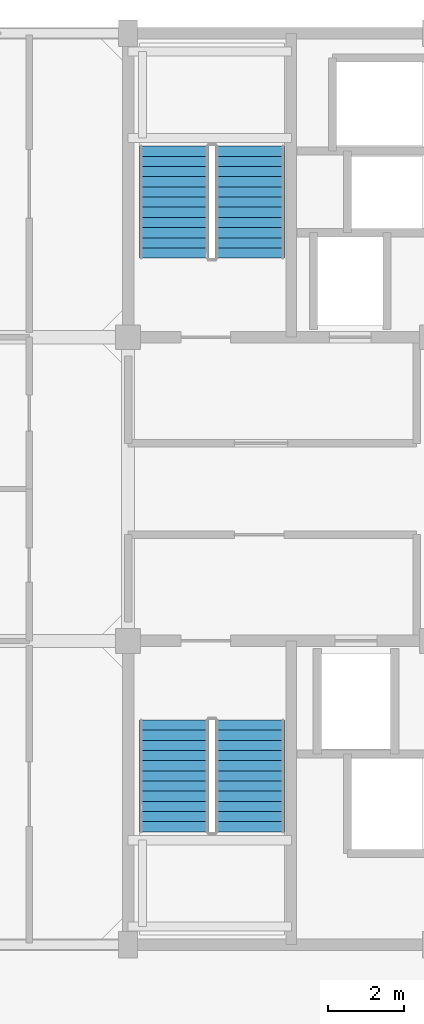
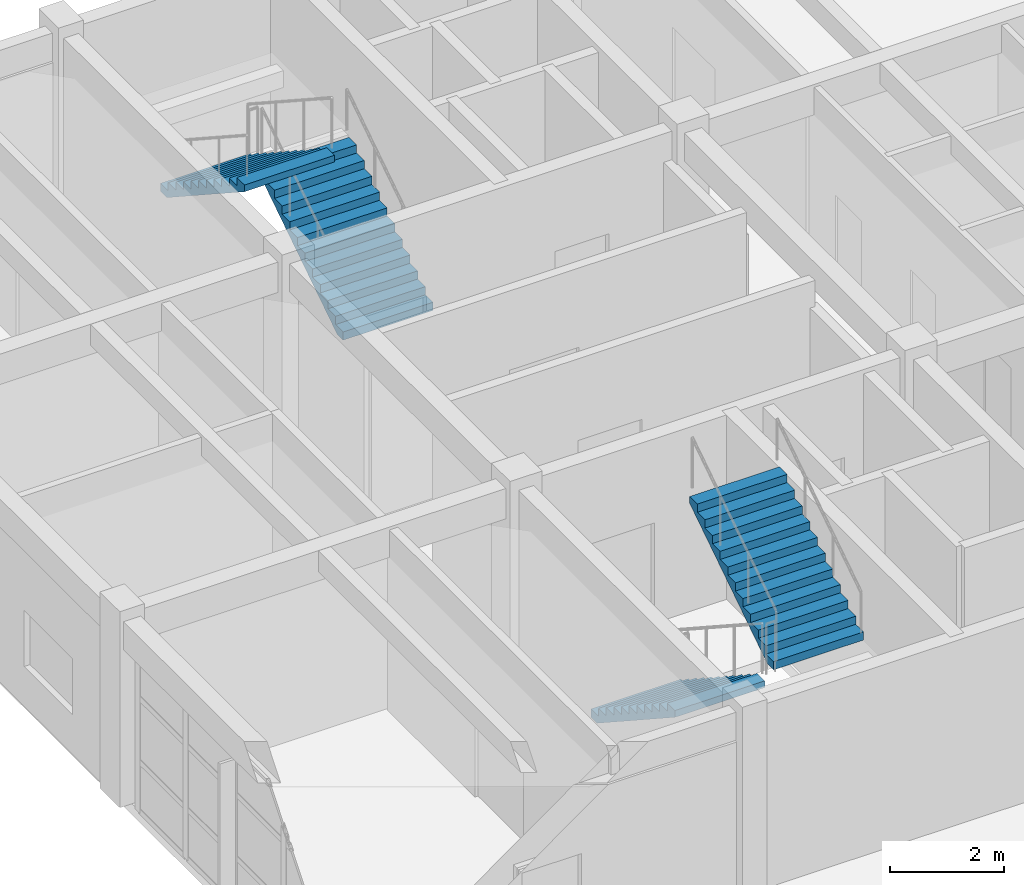
# One storey, part 18 of 20: 4 stair flights, 2 elements without a shape of their own.
"""IFC4 building model written with IfcOpenShell, lengths in metres."""

from ifc_helpers import new_model, si_unit, direction, frame, origin, place, context, subcontext, project, spatial, polyline, outline, extrude, material, type_object, element, aggregate, save


model = new_model("IFC4")

# Units and contexts
model_context = context("Model", 3, precision=1e-05, world=origin(), true_north=direction((0.0, 1.0)))
body_context = subcontext(model_context, "Body", "Model", "MODEL_VIEW")
ifc_project = project(units=[si_unit("LENGTHUNIT", "METRE"), si_unit("AREAUNIT", "SQUARE_METRE"), si_unit("VOLUMEUNIT", "CUBIC_METRE"), si_unit("PLANEANGLEUNIT", "RADIAN"), si_unit("MASSUNIT", "GRAM", prefix="KILO")], contexts=[model_context])

# Site, building, storey
site_placement = place(None, origin())
site = spatial("IfcSite", under=ifc_project, at=site_placement, CompositionType="ELEMENT")
building_placement = place(site_placement, origin())
building = spatial("IfcBuilding", under=site, at=building_placement, Name="Canggui Botanical Conservatory", CompositionType="ELEMENT")
storey_placement = place(building_placement, frame((0.0, 0.0, 57.0)))
storey = spatial("IfcBuildingStorey", under=building, at=storey_placement, Name="L14", CompositionType="ELEMENT", Elevation=57.0)

# Stair, stair flights
ifc_material = material(Name="Concrete C35", Category="concrete")
stair_type = type_object("IfcStairType", Name="STR-TYPE-6", PredefinedType="HALF_TURN_STAIR", material=ifc_material)
stair_1_placement = place(storey_placement, origin())
stair_1 = element("IfcStair", 1, at=stair_1_placement, inside=storey, type_object=stair_type, Name="L14 Tower South Smoke-Proof Stair ST-T1", PredefinedType="HALF_TURN_STAIR")
stair_flight_type = type_object("IfcStairFlightType", Name="SFL-TYPE-6", PredefinedType="STRAIGHT", material=ifc_material)
stair_flight_1_placement = place(storey_placement, frame((155.2099609375, 47.919921875, 0.0), z_axis=(0.0, 0.0, 1.0), x_axis=(0.0, -1.0, 0.0)))
stair_flight_1 = element("IfcStairFlight", 2, at=stair_flight_1_placement, type_object=stair_flight_type, Name="ST-T1 flight 1", NumberOfRisers=12, NumberOfTreads=11, PredefinedType="STRAIGHT", RiserHeight=0.175, TreadLength=0.268, context=body_context, shape_type="SweptSolid", body=[
    extrude(outline(polyline([(0.0, 0.0), (0.0, 0.175048828125), (0.26806640625, 0.175048828125), (0.26806640625, 0.35009765625), (0.535888671875, 0.35009765625), (0.535888671875, 0.52490234375), (0.803955078125, 0.52490234375), (0.803955078125, 0.699951171875), (1.072021484375, 0.699951171875), (1.072021484375, 0.875), (1.340087890625, 0.875), (1.340087890625, 1.050048828125), (1.60791015625, 1.050048828125), (1.60791015625, 1.22509765625), (1.8759765625, 1.22509765625), (1.8759765625, 1.39990234375), (2.14404296875, 1.39990234375), (2.14404296875, 1.574951171875), (2.412109375, 1.574951171875), (2.412109375, 1.75), (2.679931640625, 1.75), (2.679931640625, 1.925048828125), (2.947998046875, 1.925048828125), (2.947998046875, 2.10009765625), (2.947998046875, 1.781494140625), (0.2197265625, 0.0), (0.0, 0.0)])), frame((0.0, 0.91015625, 0.0), z_axis=(0.0, -1.0, 0.0), x_axis=(1.0, 0.0, 0.0)), (0.0, 0.0, 1.0), 1.820068359375),
])
stair_flight_2_placement = place(storey_placement, frame((157.2099609375, 44.971923828125, 2.10009765625), z_axis=(0.0, 0.0, 1.0), x_axis=(0.0, 1.0, 0.0)))
stair_flight_2 = element("IfcStairFlight", 3, at=stair_flight_2_placement, type_object=stair_flight_type, Name="ST-T1 flight 2", NumberOfRisers=12, NumberOfTreads=11, PredefinedType="STRAIGHT", RiserHeight=0.175, TreadLength=0.268, context=body_context, shape_type="SweptSolid", body=[
    extrude(outline(polyline([(0.0, 0.0), (0.0, 0.175048828125), (0.26806640625, 0.175048828125), (0.26806640625, 0.35009765625), (0.535888671875, 0.35009765625), (0.535888671875, 0.52490234375), (0.803955078125, 0.52490234375), (0.803955078125, 0.699951171875), (1.072021484375, 0.699951171875), (1.072021484375, 0.875), (1.340087890625, 0.875), (1.340087890625, 1.050048828125), (1.60791015625, 1.050048828125), (1.60791015625, 1.22509765625), (1.8759765625, 1.22509765625), (1.8759765625, 1.39990234375), (2.14404296875, 1.39990234375), (2.14404296875, 1.574951171875), (2.412109375, 1.574951171875), (2.412109375, 1.75), (2.679931640625, 1.75), (2.679931640625, 1.925048828125), (2.947998046875, 1.925048828125), (2.947998046875, 2.10009765625), (2.947998046875, 1.781494140625), (0.2197265625, 0.0), (0.0, 0.0)])), frame((0.0, 0.91015625, 0.0), z_axis=(0.0, -1.0, 0.0), x_axis=(1.0, 0.0, 0.0)), (0.0, 0.0, 1.0), 1.820068359375),
])
aggregate(stair_1, [stair_flight_1, stair_flight_2])

stair_2_placement = place(storey_placement, origin())
stair_2 = element("IfcStair", 4, at=stair_2_placement, inside=storey, type_object=stair_type, Name="L14 Tower North Smoke-Proof Stair ST-T2", PredefinedType="HALF_TURN_STAIR")
stair_flight_3_placement = place(storey_placement, frame((157.2099609375, 60.080078125, 0.0), z_axis=(0.0, 0.0, 1.0), x_axis=(0.0, 1.0, 0.0)))
stair_flight_3 = element("IfcStairFlight", 5, at=stair_flight_3_placement, type_object=stair_flight_type, Name="ST-T2 flight 1", NumberOfRisers=12, NumberOfTreads=11, PredefinedType="STRAIGHT", RiserHeight=0.175, TreadLength=0.268, context=body_context, shape_type="SweptSolid", body=[
    extrude(outline(polyline([(0.0, 0.0), (0.0, 0.175048828125), (0.26806640625, 0.175048828125), (0.26806640625, 0.35009765625), (0.535888671875, 0.35009765625), (0.535888671875, 0.52490234375), (0.803955078125, 0.52490234375), (0.803955078125, 0.699951171875), (1.072021484375, 0.699951171875), (1.072021484375, 0.875), (1.340087890625, 0.875), (1.340087890625, 1.050048828125), (1.60791015625, 1.050048828125), (1.60791015625, 1.22509765625), (1.8759765625, 1.22509765625), (1.8759765625, 1.39990234375), (2.14404296875, 1.39990234375), (2.14404296875, 1.574951171875), (2.412109375, 1.574951171875), (2.412109375, 1.75), (2.679931640625, 1.75), (2.679931640625, 1.925048828125), (2.947998046875, 1.925048828125), (2.947998046875, 2.10009765625), (2.947998046875, 1.781494140625), (0.2197265625, 0.0), (0.0, 0.0)])), frame((0.0, 0.91015625, 0.0), z_axis=(0.0, -1.0, 0.0), x_axis=(1.0, 0.0, 0.0)), (0.0, 0.0, 1.0), 1.820068359375),
])
stair_flight_4_placement = place(storey_placement, frame((155.2099609375, 63.028076171875, 2.10009765625), z_axis=(0.0, 0.0, 1.0), x_axis=(0.0, -1.0, 0.0)))
stair_flight_4 = element("IfcStairFlight", 6, at=stair_flight_4_placement, type_object=stair_flight_type, Name="ST-T2 flight 2", NumberOfRisers=12, NumberOfTreads=11, PredefinedType="STRAIGHT", RiserHeight=0.175, TreadLength=0.268, context=body_context, shape_type="SweptSolid", body=[
    extrude(outline(polyline([(0.0, 0.0), (0.0, 0.175048828125), (0.26806640625, 0.175048828125), (0.26806640625, 0.35009765625), (0.535888671875, 0.35009765625), (0.535888671875, 0.52490234375), (0.803955078125, 0.52490234375), (0.803955078125, 0.699951171875), (1.072021484375, 0.699951171875), (1.072021484375, 0.875), (1.340087890625, 0.875), (1.340087890625, 1.050048828125), (1.60791015625, 1.050048828125), (1.60791015625, 1.22509765625), (1.8759765625, 1.22509765625), (1.8759765625, 1.39990234375), (2.14404296875, 1.39990234375), (2.14404296875, 1.574951171875), (2.412109375, 1.574951171875), (2.412109375, 1.75), (2.679931640625, 1.75), (2.679931640625, 1.925048828125), (2.947998046875, 1.925048828125), (2.947998046875, 2.10009765625), (2.947998046875, 1.781494140625), (0.2197265625, 0.0), (0.0, 0.0)])), frame((0.0, 0.91015625, 0.0), z_axis=(0.0, -1.0, 0.0), x_axis=(1.0, 0.0, 0.0)), (0.0, 0.0, 1.0), 1.820068359375),
])
aggregate(stair_2, [stair_flight_3, stair_flight_4])

save(model, "model.ifc")
